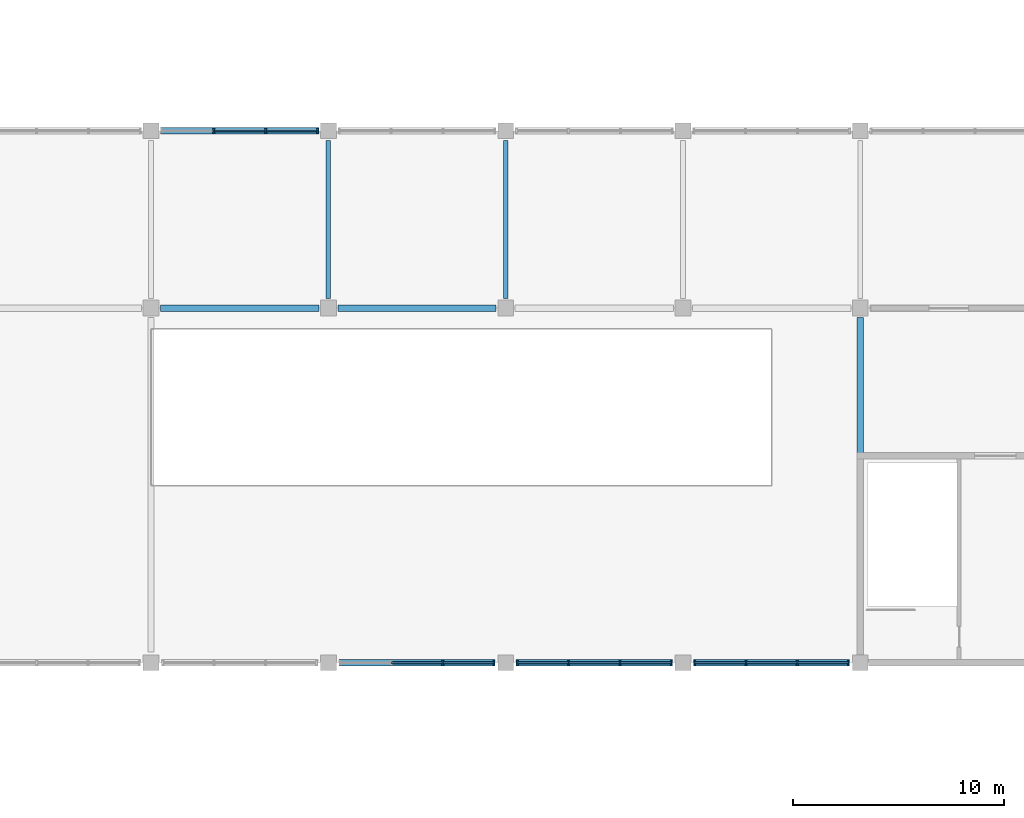
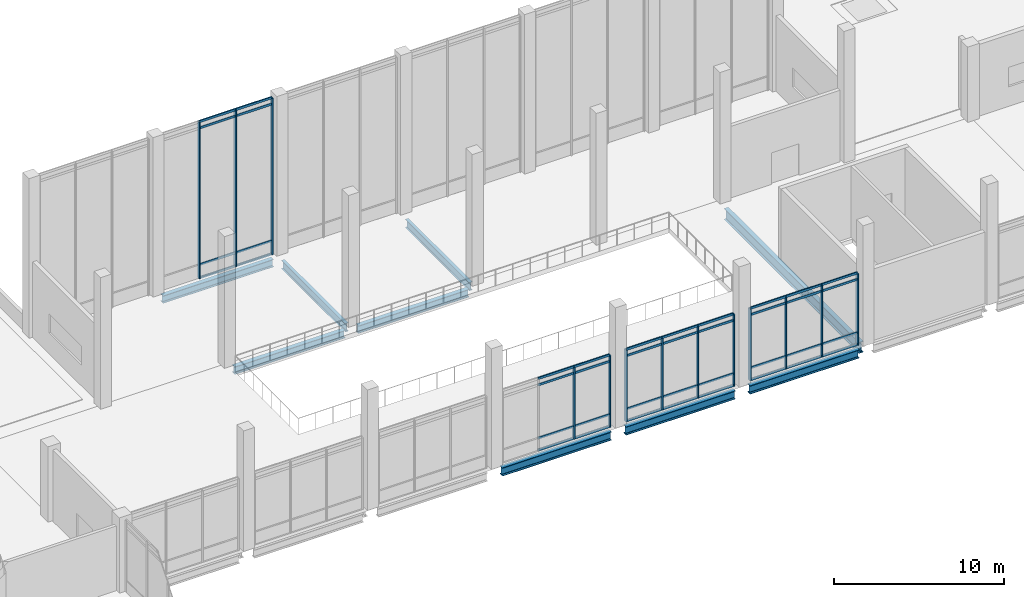
# One storey, part 17 of 72: 53 members, 9 beams, 4 elements without a shape of their own.
"""IFC4 building model written with IfcOpenShell, lengths in metres."""

import ifcopenshell
import ifcopenshell.guid

model = None  # the IFC model being written
_history = None  # IfcOwnerHistory: only IFC2X3 demands one
_inside = {}  # id of a spatial element -> (the spatial element, [elements in it])
_under = {}  # id of a project, library or spatial element -> (it, [spatial elements below it])
_declared = {}  # id of a project -> (the project, [libraries it declares])
_typed = {}  # id of a type object -> (the type object, [elements of that type])
_made_of = {}  # id of a material, layer set ... -> (it, [elements and type objects made of it])


def new_model(schema):
    """Start an empty IFC model of exactly this schema.

    Asked for "IFC4X3", IfcOpenShell would pick the latest addendum, in which some entities
    have other attributes; the version numbers below select the first issue.
    IFC2X3 requires an IfcOwnerHistory on every rooted entity: one is made here for all.
    """
    global model, _history
    if schema == "IFC4X3":
        model = ifcopenshell.file(schema_version=(4, 3, 0, 0))
    else:
        model = ifcopenshell.file(schema=schema)
    _inside.clear()
    _under.clear()
    _declared.clear()
    _typed.clear()
    _made_of.clear()
    _history = None
    if model.schema == "IFC2X3":
        org = make("IfcOrganization", Name="unknown")
        user = make(
            "IfcPersonAndOrganization",
            ThePerson=make("IfcPerson", FamilyName="unknown"),
            TheOrganization=org,
        )
        app = make(
            "IfcApplication",
            ApplicationDeveloper=org,
            Version="unknown",
            ApplicationFullName="unknown",
            ApplicationIdentifier="unknown",
        )
        _history = make(
            "IfcOwnerHistory",
            OwningUser=user,
            OwningApplication=app,
            ChangeAction="ADDED",
            CreationDate=0,
        )
    return model


def make(cls, **values):
    """One entity of the class cls with the attributes given. An attribute that is None is left unset."""
    return model.create_entity(
        cls, **{name: value for name, value in values.items() if value is not None}
    )


def rooted(cls, **values):
    """An entity with a GlobalId (a new one), such as an element, a storey or a relation."""
    return make(cls, GlobalId=ifcopenshell.guid.new(), OwnerHistory=_history, **values)


def si_unit(unit_type, name, prefix=None):
    """IfcSIUnit, for example si_unit("LENGTHUNIT", "METRE", prefix="MILLI")."""
    return make("IfcSIUnit", UnitType=unit_type, Prefix=prefix, Name=name)


def assignment(units):
    """IfcUnitAssignment: the units of a project."""
    return None if units is None else make("IfcUnitAssignment", Units=units)


def point(xyz):
    """IfcCartesianPoint."""
    return None if xyz is None else make("IfcCartesianPoint", Coordinates=xyz)


def direction(xyz):
    """IfcDirection."""
    return None if xyz is None else make("IfcDirection", DirectionRatios=xyz)


def frame(location, z_axis=None, x_axis=None):
    """IfcAxis2Placement3D, a coordinate frame: its origin and axes. An axis left out is left unset."""
    return make(
        "IfcAxis2Placement3D",
        Location=point(location),
        Axis=direction(z_axis),
        RefDirection=direction(x_axis),
    )


def frame_2d(location, x_axis=None):
    """IfcAxis2Placement2D, a coordinate frame in the plane: its origin and x axis."""
    return make(
        "IfcAxis2Placement2D", Location=point(location), RefDirection=direction(x_axis)
    )


def origin():
    """The frame at (0, 0, 0) with its axes left unset."""
    return frame((0.0, 0.0, 0.0))


def origin_2d():
    """The frame at (0, 0) in the plane with its x axis left unset."""
    return frame_2d((0.0, 0.0))


def place(relative_to, where):
    """IfcLocalPlacement: puts the frame where relative to a parent placement (None: the world)."""
    return make(
        "IfcLocalPlacement", PlacementRelTo=relative_to, RelativePlacement=where
    )


def context(
    kind, dimensions, precision=None, world=None, true_north=None, identifier=None
):
    """IfcGeometricRepresentationContext, for example the 3D "Model" context."""
    return make(
        "IfcGeometricRepresentationContext",
        ContextIdentifier=identifier,
        ContextType=kind,
        CoordinateSpaceDimension=dimensions,
        Precision=precision,
        WorldCoordinateSystem=world,
        TrueNorth=true_north,
    )


def subcontext(parent, identifier, kind, view, scale=None):
    """IfcGeometricRepresentationSubContext, for example "Body" below "Model"."""
    return make(
        "IfcGeometricRepresentationSubContext",
        ContextIdentifier=identifier,
        ContextType=kind,
        ParentContext=parent,
        TargetScale=scale,
        TargetView=view,
    )


def project(units=None, contexts=None):
    """IfcProject with its units and contexts."""
    return rooted(
        "IfcProject",
        Name="project",
        RepresentationContexts=contexts,
        UnitsInContext=assignment(units),
    )


def spatial(cls, under=None, at=None, **own):
    """A site, building, storey or space (cls), placed at a placement, below another one or the project."""
    s = rooted(cls, ObjectPlacement=at, **own)
    if under is not None:
        _under.setdefault(under.id(), (under, []))[1].append(s)
    return s


def profile(cls, at=None, kind="AREA", **sizes):
    """A parametric profile (cls). Its sizes go by their IFC names, for example OverallWidth=200.0."""
    return make(cls, ProfileType=kind, Position=at, **sizes)


def rectangle(**sizes):
    """IfcRectangleProfileDef."""
    return profile("IfcRectangleProfileDef", **sizes)


def i_section(**sizes):
    """IfcIShapeProfileDef."""
    return profile("IfcIShapeProfileDef", **sizes)


def extrude(swept, where, along, depth):
    """IfcExtrudedAreaSolid: the profile swept, set in the frame where, extruded along a direction by depth."""
    return make(
        "IfcExtrudedAreaSolid",
        SweptArea=swept,
        Position=where,
        ExtrudedDirection=direction(along),
        Depth=depth,
    )


def shape(context_of_items, identifier, shape_type, items):
    """IfcShapeRepresentation: the items that make up one representation, for example the "Body"."""
    return make(
        "IfcShapeRepresentation",
        ContextOfItems=context_of_items,
        RepresentationIdentifier=identifier,
        RepresentationType=shape_type,
        Items=items,
    )


def material(Name=None, Category=None):
    """IfcMaterial."""
    return make("IfcMaterial", Name=Name, Category=Category)


def layer(
    of_material, thickness, ventilated=None, Name=None, Category=None, Priority=None
):
    """IfcMaterialLayer: one layer of a wall or slab, of a material (None: an air gap)."""
    return make(
        "IfcMaterialLayer",
        Material=of_material,
        LayerThickness=thickness,
        IsVentilated=ventilated,
        Name=Name,
        Category=Category,
        Priority=Priority,
    )


def layer_set(layers, Name=None):
    """IfcMaterialLayerSet."""
    return make("IfcMaterialLayerSet", MaterialLayers=layers, LayerSetName=Name)


def material_profile(
    of_material, cross_section, Name=None, Category=None, Priority=None
):
    """IfcMaterialProfile: a cross section and its material."""
    return make(
        "IfcMaterialProfile",
        Name=Name,
        Material=of_material,
        Profile=cross_section,
        Priority=Priority,
        Category=Category,
    )


def profile_set(profiles, Name=None, composite=None):
    """IfcMaterialProfileSet."""
    return make(
        "IfcMaterialProfileSet",
        Name=Name,
        MaterialProfiles=profiles,
        CompositeProfile=composite,
    )


def made_of(thing, what):
    """Note that an element or type object is made of a material, layer set ...; save() writes the relation."""
    if what is not None:
        _made_of.setdefault(what.id(), (what, []))[1].append(thing)
    return thing


def type_object(cls, material=None, **own):
    """A type object (cls), such as IfcWallType, which elements share."""
    return made_of(rooted(cls, **own), material)


def element(
    cls,
    number,
    at=None,
    inside=None,
    cuts=None,
    type_object=None,
    material=None,
    context=None,
    identifier="Body",
    shape_type=None,
    held_by="IfcProductDefinitionShape",
    body=None,
    shapes=None,
    **own,
):
    """One element of the class cls, such as IfcWall. Its Tag is "e" and its number.

    at: its placement. inside: the storey or other place that contains it. cuts: it is an
    opening in that element (IfcRelVoidsElement). A single representation is given by context,
    identifier, shape_type and body (its items); several are given by shapes. held_by: the class
    of the entity that holds the representations. save() writes the other relations.
    """
    e = rooted(cls, Tag="e%d" % number, ObjectPlacement=at, **own)
    if body is not None:
        shapes = [shape(context, identifier, shape_type, body)]
    if shapes is not None:
        e.Representation = make(held_by, Representations=shapes)
    if inside is not None:
        _inside.setdefault(inside.id(), (inside, []))[1].append(e)
    if cuts is not None:
        rooted(
            "IfcRelVoidsElement", RelatingBuildingElement=cuts, RelatedOpeningElement=e
        )
    if type_object is not None:
        _typed.setdefault(type_object.id(), (type_object, []))[1].append(e)
    return made_of(e, material)


def aggregate(whole, parts):
    """IfcRelAggregates: a whole, such as a stair, and the parts it consists of."""
    return rooted("IfcRelAggregates", RelatingObject=whole, RelatedObjects=parts)


def save(model, path):
    """Write the relations noted so far, then the file.

    IfcRelAggregates (storeys below a building ...), IfcRelContainedInSpatialStructure (elements
    in a storey), IfcRelDefinesByType, IfcRelAssociatesMaterial and IfcRelDeclares: one each for
    every whole, place, type object, material and project.
    """
    for whole, parts in _under.values():
        aggregate(whole, parts)
    for where, things in _inside.values():
        rooted(
            "IfcRelContainedInSpatialStructure",
            RelatedElements=things,
            RelatingStructure=where,
        )
    for kind, things in _typed.values():
        rooted("IfcRelDefinesByType", RelatedObjects=things, RelatingType=kind)
    for what, things in _made_of.values():
        rooted("IfcRelAssociatesMaterial", RelatedObjects=things, RelatingMaterial=what)
    for by, libraries in _declared.values():
        rooted("IfcRelDeclares", RelatingContext=by, RelatedDefinitions=libraries)
    model.write(path)


model = new_model("IFC4")

# Units and contexts
model_context = context("Model", 3, precision=1e-05, world=origin(), true_north=direction((0.0, 1.0)))
body_context = subcontext(model_context, "Body", "Model", "MODEL_VIEW")
ifc_project = project(units=[si_unit("LENGTHUNIT", "METRE"), si_unit("AREAUNIT", "SQUARE_METRE"), si_unit("VOLUMEUNIT", "CUBIC_METRE"), si_unit("PLANEANGLEUNIT", "RADIAN"), si_unit("MASSUNIT", "GRAM", prefix="KILO")], contexts=[model_context])

# Site, building, storey
site_placement = place(None, origin())
site = spatial("IfcSite", under=ifc_project, at=site_placement, CompositionType="ELEMENT")
building_placement = place(site_placement, origin())
building = spatial("IfcBuilding", under=site, at=building_placement, Name="Qawsi Khor Wholesale Market", CompositionType="ELEMENT")
storey_placement = place(building_placement, frame((0.0, 0.0, 6.0)))
storey = spatial("IfcBuildingStorey", under=building, at=storey_placement, Name="L01", CompositionType="ELEMENT", Elevation=6.0)

# Curtain wall, members
ifc_material_1 = material(Name="Aluminium Anodised Bronze", Category="aluminium")
ifc_layer = layer(ifc_material_1, 0.219970703125, Name="Aluminium Anodised Bronze")
ifc_layer_set = layer_set([ifc_layer], Name="Aluminium Anodised Bronze")
curtain_wall_type = type_object("IfcCurtainWallType", Name="Auction Clerestory Curtain Wall CW-04", PredefinedType="NOTDEFINED", material=ifc_layer_set)
curtain_wall_1_placement = place(storey_placement, origin())
curtain_wall_1 = element("IfcCurtainWall", 1, at=curtain_wall_1_placement, inside=storey, type_object=curtain_wall_type, Name="Curtain wall CW-CW-04-L01-104", PredefinedType="NOTDEFINED")
ifc_material_profile_1 = material_profile(ifc_material_1, rectangle(XDim=0.080078125, YDim=0.239990234375, at=origin_2d()), Name="ALU MULLION 80x240")
ifc_profile_set_1 = profile_set([ifc_material_profile_1], Name="Aluminium Anodised Bronze")
member_type_1 = type_object("IfcMemberType", Name="Curtain Wall Mullion CW-04 ALU MULLION 80x240", PredefinedType="MULLION", material=ifc_profile_set_1)
member_1_placement = place(storey_placement, frame((95.36669921875, 117.60009765625, -0.02001953125), z_axis=(0.0, 0.0, 1.0), x_axis=(1.0, 0.0, 0.0)))
member_1 = element("IfcMember", 2, at=member_1_placement, type_object=member_type_1, Name="Mullion CW-CW-04-L01-104-M01", PredefinedType="MULLION", context=body_context, shape_type="SweptSolid", body=[
    extrude(rectangle(XDim=0.080078125, YDim=0.239990234375, at=origin_2d()), origin(), (0.0, 0.0, 1.0), 11.219970703125),
])
member_2_placement = place(storey_placement, frame((97.833251953125, 117.60009765625, -0.02001953125), z_axis=(0.0, 0.0, 1.0), x_axis=(1.0, 0.0, 0.0)))
member_2 = element("IfcMember", 3, at=member_2_placement, type_object=member_type_1, Name="Mullion CW-CW-04-L01-104-M02", PredefinedType="MULLION", context=body_context, shape_type="SweptSolid", body=[
    extrude(rectangle(XDim=0.080078125, YDim=0.239990234375, at=origin_2d()), origin(), (0.0, 0.0, 1.0), 11.219970703125),
])
member_3_placement = place(storey_placement, frame((100.300048828125, 117.60009765625, -0.02001953125), z_axis=(0.0, 0.0, 1.0), x_axis=(1.0, 0.0, 0.0)))
member_3 = element("IfcMember", 4, at=member_3_placement, type_object=member_type_1, Name="Mullion CW-CW-04-L01-104-M03", PredefinedType="MULLION", context=body_context, shape_type="SweptSolid", body=[
    extrude(rectangle(XDim=0.080078125, YDim=0.239990234375, at=origin_2d()), origin(), (0.0, 0.0, 1.0), 11.219970703125),
])

curtain_wall_2_placement = place(storey_placement, origin())
curtain_wall_2 = element("IfcCurtainWall", 5, at=curtain_wall_2_placement, inside=storey, type_object=curtain_wall_type, Name="Curtain wall CW-CW-04-L01-106", PredefinedType="NOTDEFINED")
member_4_placement = place(storey_placement, frame((106.216796875, 92.39990234375, -0.02001953125), z_axis=(0.0, 0.0, 1.0), x_axis=(1.0, 0.0, 0.0)))
member_4 = element("IfcMember", 6, at=member_4_placement, type_object=member_type_1, Name="Mullion CW-CW-04-L01-106-M02", PredefinedType="MULLION", context=body_context, shape_type="SweptSolid", body=[
    extrude(rectangle(XDim=0.080078125, YDim=0.239990234375, at=origin_2d()), origin(), (0.0, 0.0, 1.0), 5.14013671875),
])
member_5_placement = place(storey_placement, frame((108.64990234375, 92.39990234375, -0.02001953125), z_axis=(0.0, 0.0, 1.0), x_axis=(1.0, 0.0, 0.0)))
member_5 = element("IfcMember", 7, at=member_5_placement, type_object=member_type_1, Name="Mullion CW-CW-04-L01-106-M03", PredefinedType="MULLION", context=body_context, shape_type="SweptSolid", body=[
    extrude(rectangle(XDim=0.080078125, YDim=0.239990234375, at=origin_2d()), origin(), (0.0, 0.0, 1.0), 5.14013671875),
])

curtain_wall_3_placement = place(storey_placement, origin())
curtain_wall_3 = element("IfcCurtainWall", 8, at=curtain_wall_3_placement, inside=storey, type_object=curtain_wall_type, Name="Curtain wall CW-CW-04-L01-109", PredefinedType="NOTDEFINED")
member_6_placement = place(storey_placement, frame((109.75, 92.39990234375, -0.02001953125), z_axis=(0.0, 0.0, 1.0), x_axis=(1.0, 0.0, 0.0)))
member_6 = element("IfcMember", 9, at=member_6_placement, type_object=member_type_1, Name="Mullion CW-CW-04-L01-109-M00", PredefinedType="MULLION", context=body_context, shape_type="SweptSolid", body=[
    extrude(rectangle(XDim=0.080078125, YDim=0.239990234375, at=origin_2d()), origin(), (0.0, 0.0, 1.0), 5.14013671875),
])
member_7_placement = place(storey_placement, frame((112.183349609375, 92.39990234375, -0.02001953125), z_axis=(0.0, 0.0, 1.0), x_axis=(1.0, 0.0, 0.0)))
member_7 = element("IfcMember", 10, at=member_7_placement, type_object=member_type_1, Name="Mullion CW-CW-04-L01-109-M01", PredefinedType="MULLION", context=body_context, shape_type="SweptSolid", body=[
    extrude(rectangle(XDim=0.080078125, YDim=0.239990234375, at=origin_2d()), origin(), (0.0, 0.0, 1.0), 5.14013671875),
])
member_8_placement = place(storey_placement, frame((114.61669921875, 92.39990234375, -0.02001953125), z_axis=(0.0, 0.0, 1.0), x_axis=(1.0, 0.0, 0.0)))
member_8 = element("IfcMember", 11, at=member_8_placement, type_object=member_type_1, Name="Mullion CW-CW-04-L01-109-M02", PredefinedType="MULLION", context=body_context, shape_type="SweptSolid", body=[
    extrude(rectangle(XDim=0.080078125, YDim=0.239990234375, at=origin_2d()), origin(), (0.0, 0.0, 1.0), 5.14013671875),
])
member_9_placement = place(storey_placement, frame((117.050048828125, 92.39990234375, -0.02001953125), z_axis=(0.0, 0.0, 1.0), x_axis=(1.0, 0.0, 0.0)))
member_9 = element("IfcMember", 12, at=member_9_placement, type_object=member_type_1, Name="Mullion CW-CW-04-L01-109-M03", PredefinedType="MULLION", context=body_context, shape_type="SweptSolid", body=[
    extrude(rectangle(XDim=0.080078125, YDim=0.239990234375, at=origin_2d()), origin(), (0.0, 0.0, 1.0), 5.14013671875),
])

curtain_wall_4_placement = place(storey_placement, origin())
curtain_wall_4 = element("IfcCurtainWall", 13, at=curtain_wall_4_placement, inside=storey, type_object=curtain_wall_type, Name="Curtain wall CW-CW-04-L01-112", PredefinedType="NOTDEFINED")
member_10_placement = place(storey_placement, frame((118.14990234375, 92.39990234375, -0.02001953125), z_axis=(0.0, 0.0, 1.0), x_axis=(1.0, 0.0, 0.0)))
member_10 = element("IfcMember", 14, at=member_10_placement, type_object=member_type_1, Name="Mullion CW-CW-04-L01-112-M00", PredefinedType="MULLION", context=body_context, shape_type="SweptSolid", body=[
    extrude(rectangle(XDim=0.080078125, YDim=0.239990234375, at=origin_2d()), origin(), (0.0, 0.0, 1.0), 5.14013671875),
])
member_11_placement = place(storey_placement, frame((120.583251953125, 92.39990234375, -0.02001953125), z_axis=(0.0, 0.0, 1.0), x_axis=(1.0, 0.0, 0.0)))
member_11 = element("IfcMember", 15, at=member_11_placement, type_object=member_type_1, Name="Mullion CW-CW-04-L01-112-M01", PredefinedType="MULLION", context=body_context, shape_type="SweptSolid", body=[
    extrude(rectangle(XDim=0.080078125, YDim=0.239990234375, at=origin_2d()), origin(), (0.0, 0.0, 1.0), 5.14013671875),
])
member_12_placement = place(storey_placement, frame((123.0166015625, 92.39990234375, -0.02001953125), z_axis=(0.0, 0.0, 1.0), x_axis=(1.0, 0.0, 0.0)))
member_12 = element("IfcMember", 16, at=member_12_placement, type_object=member_type_1, Name="Mullion CW-CW-04-L01-112-M02", PredefinedType="MULLION", context=body_context, shape_type="SweptSolid", body=[
    extrude(rectangle(XDim=0.080078125, YDim=0.239990234375, at=origin_2d()), origin(), (0.0, 0.0, 1.0), 5.14013671875),
])
member_13_placement = place(storey_placement, frame((125.449951171875, 92.39990234375, -0.02001953125), z_axis=(0.0, 0.0, 1.0), x_axis=(1.0, 0.0, 0.0)))
member_13 = element("IfcMember", 17, at=member_13_placement, type_object=member_type_1, Name="Mullion CW-CW-04-L01-112-M03", PredefinedType="MULLION", context=body_context, shape_type="SweptSolid", body=[
    extrude(rectangle(XDim=0.080078125, YDim=0.239990234375, at=origin_2d()), origin(), (0.0, 0.0, 1.0), 5.14013671875),
])

# Member
ifc_material_profile_2 = material_profile(ifc_material_1, rectangle(XDim=0.074951171875, YDim=0.159912109375, at=origin_2d()), Name="ALU TRANSOM 75x160")
ifc_profile_set_2 = profile_set([ifc_material_profile_2], Name="Aluminium Anodised Bronze")
member_type_2 = type_object("IfcMemberType", Name="Curtain Wall Transom CW-04 ALU TRANSOM 75x160", PredefinedType="USERDEFINED", material=ifc_profile_set_2)
member_14_placement = place(storey_placement, frame((95.36669921875, 117.60009765625, 0.0), z_axis=(1.0, 0.0, 0.0), x_axis=(0.0, 1.0, 0.0)))
member_14 = element("IfcMember", 18, at=member_14_placement, type_object=member_type_2, Name="Transom CW-CW-04-L01-104-T0_01", ObjectType="TRANSOM", PredefinedType="USERDEFINED", context=body_context, shape_type="SweptSolid", body=[
    extrude(rectangle(XDim=0.074951171875, YDim=0.159912109375, at=origin_2d()), origin(), (0.0, 0.0, 1.0), 2.466552734375),
])

member_15_placement = place(storey_placement, frame((97.833251953125, 117.60009765625, 0.0), z_axis=(1.0, 0.0, 0.0), x_axis=(0.0, 1.0, 0.0)))
member_15 = element("IfcMember", 19, at=member_15_placement, type_object=member_type_2, Name="Transom CW-CW-04-L01-104-T0_02", ObjectType="TRANSOM", PredefinedType="USERDEFINED", context=body_context, shape_type="SweptSolid", body=[
    extrude(rectangle(XDim=0.074951171875, YDim=0.159912109375, at=origin_2d()), origin(), (0.0, 0.0, 1.0), 2.466796875),
])

member_16_placement = place(storey_placement, frame((95.36669921875, 117.60009765625, 0.949951171875), z_axis=(1.0, 0.0, 0.0), x_axis=(0.0, 1.0, 0.0)))
member_16 = element("IfcMember", 20, at=member_16_placement, type_object=member_type_2, Name="Transom CW-CW-04-L01-104-T1_01", ObjectType="TRANSOM", PredefinedType="USERDEFINED", context=body_context, shape_type="SweptSolid", body=[
    extrude(rectangle(XDim=0.074951171875, YDim=0.159912109375, at=origin_2d()), origin(), (0.0, 0.0, 1.0), 2.466552734375),
])

member_17_placement = place(storey_placement, frame((97.833251953125, 117.60009765625, 0.949951171875), z_axis=(1.0, 0.0, 0.0), x_axis=(0.0, 1.0, 0.0)))
member_17 = element("IfcMember", 21, at=member_17_placement, type_object=member_type_2, Name="Transom CW-CW-04-L01-104-T1_02", ObjectType="TRANSOM", PredefinedType="USERDEFINED", context=body_context, shape_type="SweptSolid", body=[
    extrude(rectangle(XDim=0.074951171875, YDim=0.159912109375, at=origin_2d()), origin(), (0.0, 0.0, 1.0), 2.466796875),
])

member_18_placement = place(storey_placement, frame((95.36669921875, 117.60009765625, 10.75), z_axis=(1.0, 0.0, 0.0), x_axis=(0.0, 1.0, 0.0)))
member_18 = element("IfcMember", 22, at=member_18_placement, type_object=member_type_2, Name="Transom CW-CW-04-L01-104-T2_01", ObjectType="TRANSOM", PredefinedType="USERDEFINED", context=body_context, shape_type="SweptSolid", body=[
    extrude(rectangle(XDim=0.074951171875, YDim=0.159912109375, at=origin_2d()), origin(), (0.0, 0.0, 1.0), 2.466552734375),
])

member_19_placement = place(storey_placement, frame((97.833251953125, 117.60009765625, 10.75), z_axis=(1.0, 0.0, 0.0), x_axis=(0.0, 1.0, 0.0)))
member_19 = element("IfcMember", 23, at=member_19_placement, type_object=member_type_2, Name="Transom CW-CW-04-L01-104-T2_02", ObjectType="TRANSOM", PredefinedType="USERDEFINED", context=body_context, shape_type="SweptSolid", body=[
    extrude(rectangle(XDim=0.074951171875, YDim=0.159912109375, at=origin_2d()), origin(), (0.0, 0.0, 1.0), 2.466796875),
])

member_20_placement = place(storey_placement, frame((95.36669921875, 117.60009765625, 11.199951171875), z_axis=(1.0, 0.0, 0.0), x_axis=(0.0, 1.0, 0.0)))
member_20 = element("IfcMember", 24, at=member_20_placement, type_object=member_type_2, Name="Transom CW-CW-04-L01-104-T3_01", ObjectType="TRANSOM", PredefinedType="USERDEFINED", context=body_context, shape_type="SweptSolid", body=[
    extrude(rectangle(XDim=0.074951171875, YDim=0.159912109375, at=origin_2d()), origin(), (0.0, 0.0, 1.0), 2.466552734375),
])

member_21_placement = place(storey_placement, frame((97.833251953125, 117.60009765625, 11.199951171875), z_axis=(1.0, 0.0, 0.0), x_axis=(0.0, 1.0, 0.0)))
member_21 = element("IfcMember", 25, at=member_21_placement, type_object=member_type_2, Name="Transom CW-CW-04-L01-104-T3_02", ObjectType="TRANSOM", PredefinedType="USERDEFINED", context=body_context, shape_type="SweptSolid", body=[
    extrude(rectangle(XDim=0.074951171875, YDim=0.159912109375, at=origin_2d()), origin(), (0.0, 0.0, 1.0), 2.466796875),
])

aggregate(curtain_wall_1, [member_1, member_2, member_3, member_14, member_15, member_16, member_17, member_18, member_19, member_20, member_21])

member_22_placement = place(storey_placement, frame((103.783203125, 92.39990234375, 0.0), z_axis=(1.0, 0.0, 0.0), x_axis=(0.0, 1.0, 0.0)))
member_22 = element("IfcMember", 26, at=member_22_placement, type_object=member_type_2, Name="Transom CW-CW-04-L01-106-T0_01", ObjectType="TRANSOM", PredefinedType="USERDEFINED", context=body_context, shape_type="SweptSolid", body=[
    extrude(rectangle(XDim=0.074951171875, YDim=0.159912109375, at=origin_2d()), origin(), (0.0, 0.0, 1.0), 2.43359375),
])

member_23_placement = place(storey_placement, frame((106.216796875, 92.39990234375, 0.0), z_axis=(1.0, 0.0, 0.0), x_axis=(0.0, 1.0, 0.0)))
member_23 = element("IfcMember", 27, at=member_23_placement, type_object=member_type_2, Name="Transom CW-CW-04-L01-106-T0_02", ObjectType="TRANSOM", PredefinedType="USERDEFINED", context=body_context, shape_type="SweptSolid", body=[
    extrude(rectangle(XDim=0.074951171875, YDim=0.159912109375, at=origin_2d()), origin(), (0.0, 0.0, 1.0), 2.43310546875),
])

member_24_placement = place(storey_placement, frame((103.783203125, 92.39990234375, 0.85009765625), z_axis=(1.0, 0.0, 0.0), x_axis=(0.0, 1.0, 0.0)))
member_24 = element("IfcMember", 28, at=member_24_placement, type_object=member_type_2, Name="Transom CW-CW-04-L01-106-T1_01", ObjectType="TRANSOM", PredefinedType="USERDEFINED", context=body_context, shape_type="SweptSolid", body=[
    extrude(rectangle(XDim=0.074951171875, YDim=0.159912109375, at=origin_2d()), origin(), (0.0, 0.0, 1.0), 2.43359375),
])

member_25_placement = place(storey_placement, frame((106.216796875, 92.39990234375, 0.85009765625), z_axis=(1.0, 0.0, 0.0), x_axis=(0.0, 1.0, 0.0)))
member_25 = element("IfcMember", 29, at=member_25_placement, type_object=member_type_2, Name="Transom CW-CW-04-L01-106-T1_02", ObjectType="TRANSOM", PredefinedType="USERDEFINED", context=body_context, shape_type="SweptSolid", body=[
    extrude(rectangle(XDim=0.074951171875, YDim=0.159912109375, at=origin_2d()), origin(), (0.0, 0.0, 1.0), 2.43310546875),
])

member_26_placement = place(storey_placement, frame((103.783203125, 92.39990234375, 4.669921875), z_axis=(1.0, 0.0, 0.0), x_axis=(0.0, 1.0, 0.0)))
member_26 = element("IfcMember", 30, at=member_26_placement, type_object=member_type_2, Name="Transom CW-CW-04-L01-106-T2_01", ObjectType="TRANSOM", PredefinedType="USERDEFINED", context=body_context, shape_type="SweptSolid", body=[
    extrude(rectangle(XDim=0.074951171875, YDim=0.159912109375, at=origin_2d()), origin(), (0.0, 0.0, 1.0), 2.43359375),
])

member_27_placement = place(storey_placement, frame((106.216796875, 92.39990234375, 4.669921875), z_axis=(1.0, 0.0, 0.0), x_axis=(0.0, 1.0, 0.0)))
member_27 = element("IfcMember", 31, at=member_27_placement, type_object=member_type_2, Name="Transom CW-CW-04-L01-106-T2_02", ObjectType="TRANSOM", PredefinedType="USERDEFINED", context=body_context, shape_type="SweptSolid", body=[
    extrude(rectangle(XDim=0.074951171875, YDim=0.159912109375, at=origin_2d()), origin(), (0.0, 0.0, 1.0), 2.43310546875),
])

member_28_placement = place(storey_placement, frame((103.783203125, 92.39990234375, 5.1201171875), z_axis=(1.0, 0.0, 0.0), x_axis=(0.0, 1.0, 0.0)))
member_28 = element("IfcMember", 32, at=member_28_placement, type_object=member_type_2, Name="Transom CW-CW-04-L01-106-T3_01", ObjectType="TRANSOM", PredefinedType="USERDEFINED", context=body_context, shape_type="SweptSolid", body=[
    extrude(rectangle(XDim=0.074951171875, YDim=0.159912109375, at=origin_2d()), origin(), (0.0, 0.0, 1.0), 2.43359375),
])

member_29_placement = place(storey_placement, frame((106.216796875, 92.39990234375, 5.1201171875), z_axis=(1.0, 0.0, 0.0), x_axis=(0.0, 1.0, 0.0)))
member_29 = element("IfcMember", 33, at=member_29_placement, type_object=member_type_2, Name="Transom CW-CW-04-L01-106-T3_02", ObjectType="TRANSOM", PredefinedType="USERDEFINED", context=body_context, shape_type="SweptSolid", body=[
    extrude(rectangle(XDim=0.074951171875, YDim=0.159912109375, at=origin_2d()), origin(), (0.0, 0.0, 1.0), 2.43310546875),
])

aggregate(curtain_wall_2, [member_4, member_5, member_22, member_23, member_24, member_25, member_26, member_27, member_28, member_29])

member_30_placement = place(storey_placement, frame((109.75, 92.39990234375, 0.0), z_axis=(1.0, 0.0, 0.0), x_axis=(0.0, 1.0, 0.0)))
member_30 = element("IfcMember", 34, at=member_30_placement, type_object=member_type_2, Name="Transom CW-CW-04-L01-109-T0_00", ObjectType="TRANSOM", PredefinedType="USERDEFINED", context=body_context, shape_type="SweptSolid", body=[
    extrude(rectangle(XDim=0.074951171875, YDim=0.159912109375, at=origin_2d()), origin(), (0.0, 0.0, 1.0), 2.433349609375),
])

member_31_placement = place(storey_placement, frame((112.183349609375, 92.39990234375, 0.0), z_axis=(1.0, 0.0, 0.0), x_axis=(0.0, 1.0, 0.0)))
member_31 = element("IfcMember", 35, at=member_31_placement, type_object=member_type_2, Name="Transom CW-CW-04-L01-109-T0_01", ObjectType="TRANSOM", PredefinedType="USERDEFINED", context=body_context, shape_type="SweptSolid", body=[
    extrude(rectangle(XDim=0.074951171875, YDim=0.159912109375, at=origin_2d()), origin(), (0.0, 0.0, 1.0), 2.433349609375),
])

member_32_placement = place(storey_placement, frame((114.61669921875, 92.39990234375, 0.0), z_axis=(1.0, 0.0, 0.0), x_axis=(0.0, 1.0, 0.0)))
member_32 = element("IfcMember", 36, at=member_32_placement, type_object=member_type_2, Name="Transom CW-CW-04-L01-109-T0_02", ObjectType="TRANSOM", PredefinedType="USERDEFINED", context=body_context, shape_type="SweptSolid", body=[
    extrude(rectangle(XDim=0.074951171875, YDim=0.159912109375, at=origin_2d()), origin(), (0.0, 0.0, 1.0), 2.433349609375),
])

member_33_placement = place(storey_placement, frame((109.75, 92.39990234375, 0.85009765625), z_axis=(1.0, 0.0, 0.0), x_axis=(0.0, 1.0, 0.0)))
member_33 = element("IfcMember", 37, at=member_33_placement, type_object=member_type_2, Name="Transom CW-CW-04-L01-109-T1_00", ObjectType="TRANSOM", PredefinedType="USERDEFINED", context=body_context, shape_type="SweptSolid", body=[
    extrude(rectangle(XDim=0.074951171875, YDim=0.159912109375, at=origin_2d()), origin(), (0.0, 0.0, 1.0), 2.433349609375),
])

member_34_placement = place(storey_placement, frame((112.183349609375, 92.39990234375, 0.85009765625), z_axis=(1.0, 0.0, 0.0), x_axis=(0.0, 1.0, 0.0)))
member_34 = element("IfcMember", 38, at=member_34_placement, type_object=member_type_2, Name="Transom CW-CW-04-L01-109-T1_01", ObjectType="TRANSOM", PredefinedType="USERDEFINED", context=body_context, shape_type="SweptSolid", body=[
    extrude(rectangle(XDim=0.074951171875, YDim=0.159912109375, at=origin_2d()), origin(), (0.0, 0.0, 1.0), 2.433349609375),
])

member_35_placement = place(storey_placement, frame((114.61669921875, 92.39990234375, 0.85009765625), z_axis=(1.0, 0.0, 0.0), x_axis=(0.0, 1.0, 0.0)))
member_35 = element("IfcMember", 39, at=member_35_placement, type_object=member_type_2, Name="Transom CW-CW-04-L01-109-T1_02", ObjectType="TRANSOM", PredefinedType="USERDEFINED", context=body_context, shape_type="SweptSolid", body=[
    extrude(rectangle(XDim=0.074951171875, YDim=0.159912109375, at=origin_2d()), origin(), (0.0, 0.0, 1.0), 2.433349609375),
])

member_36_placement = place(storey_placement, frame((109.75, 92.39990234375, 4.669921875), z_axis=(1.0, 0.0, 0.0), x_axis=(0.0, 1.0, 0.0)))
member_36 = element("IfcMember", 40, at=member_36_placement, type_object=member_type_2, Name="Transom CW-CW-04-L01-109-T2_00", ObjectType="TRANSOM", PredefinedType="USERDEFINED", context=body_context, shape_type="SweptSolid", body=[
    extrude(rectangle(XDim=0.074951171875, YDim=0.159912109375, at=origin_2d()), origin(), (0.0, 0.0, 1.0), 2.433349609375),
])

member_37_placement = place(storey_placement, frame((112.183349609375, 92.39990234375, 4.669921875), z_axis=(1.0, 0.0, 0.0), x_axis=(0.0, 1.0, 0.0)))
member_37 = element("IfcMember", 41, at=member_37_placement, type_object=member_type_2, Name="Transom CW-CW-04-L01-109-T2_01", ObjectType="TRANSOM", PredefinedType="USERDEFINED", context=body_context, shape_type="SweptSolid", body=[
    extrude(rectangle(XDim=0.074951171875, YDim=0.159912109375, at=origin_2d()), origin(), (0.0, 0.0, 1.0), 2.433349609375),
])

member_38_placement = place(storey_placement, frame((114.61669921875, 92.39990234375, 4.669921875), z_axis=(1.0, 0.0, 0.0), x_axis=(0.0, 1.0, 0.0)))
member_38 = element("IfcMember", 42, at=member_38_placement, type_object=member_type_2, Name="Transom CW-CW-04-L01-109-T2_02", ObjectType="TRANSOM", PredefinedType="USERDEFINED", context=body_context, shape_type="SweptSolid", body=[
    extrude(rectangle(XDim=0.074951171875, YDim=0.159912109375, at=origin_2d()), origin(), (0.0, 0.0, 1.0), 2.433349609375),
])

member_39_placement = place(storey_placement, frame((109.75, 92.39990234375, 5.1201171875), z_axis=(1.0, 0.0, 0.0), x_axis=(0.0, 1.0, 0.0)))
member_39 = element("IfcMember", 43, at=member_39_placement, type_object=member_type_2, Name="Transom CW-CW-04-L01-109-T3_00", ObjectType="TRANSOM", PredefinedType="USERDEFINED", context=body_context, shape_type="SweptSolid", body=[
    extrude(rectangle(XDim=0.074951171875, YDim=0.159912109375, at=origin_2d()), origin(), (0.0, 0.0, 1.0), 2.433349609375),
])

member_40_placement = place(storey_placement, frame((112.183349609375, 92.39990234375, 5.1201171875), z_axis=(1.0, 0.0, 0.0), x_axis=(0.0, 1.0, 0.0)))
member_40 = element("IfcMember", 44, at=member_40_placement, type_object=member_type_2, Name="Transom CW-CW-04-L01-109-T3_01", ObjectType="TRANSOM", PredefinedType="USERDEFINED", context=body_context, shape_type="SweptSolid", body=[
    extrude(rectangle(XDim=0.074951171875, YDim=0.159912109375, at=origin_2d()), origin(), (0.0, 0.0, 1.0), 2.433349609375),
])

member_41_placement = place(storey_placement, frame((114.61669921875, 92.39990234375, 5.1201171875), z_axis=(1.0, 0.0, 0.0), x_axis=(0.0, 1.0, 0.0)))
member_41 = element("IfcMember", 45, at=member_41_placement, type_object=member_type_2, Name="Transom CW-CW-04-L01-109-T3_02", ObjectType="TRANSOM", PredefinedType="USERDEFINED", context=body_context, shape_type="SweptSolid", body=[
    extrude(rectangle(XDim=0.074951171875, YDim=0.159912109375, at=origin_2d()), origin(), (0.0, 0.0, 1.0), 2.433349609375),
])

aggregate(curtain_wall_3, [member_6, member_7, member_8, member_9, member_30, member_31, member_32, member_33, member_34, member_35, member_36, member_37, member_38, member_39, member_40, member_41])

member_42_placement = place(storey_placement, frame((118.14990234375, 92.39990234375, 0.0), z_axis=(1.0, 0.0, 0.0), x_axis=(0.0, 1.0, 0.0)))
member_42 = element("IfcMember", 46, at=member_42_placement, type_object=member_type_2, Name="Transom CW-CW-04-L01-112-T0_00", ObjectType="TRANSOM", PredefinedType="USERDEFINED", context=body_context, shape_type="SweptSolid", body=[
    extrude(rectangle(XDim=0.074951171875, YDim=0.159912109375, at=origin_2d()), origin(), (0.0, 0.0, 1.0), 2.433349609375),
])

member_43_placement = place(storey_placement, frame((120.583251953125, 92.39990234375, 0.0), z_axis=(1.0, 0.0, 0.0), x_axis=(0.0, 1.0, 0.0)))
member_43 = element("IfcMember", 47, at=member_43_placement, type_object=member_type_2, Name="Transom CW-CW-04-L01-112-T0_01", ObjectType="TRANSOM", PredefinedType="USERDEFINED", context=body_context, shape_type="SweptSolid", body=[
    extrude(rectangle(XDim=0.074951171875, YDim=0.159912109375, at=origin_2d()), origin(), (0.0, 0.0, 1.0), 2.433349609375),
])

member_44_placement = place(storey_placement, frame((123.0166015625, 92.39990234375, 0.0), z_axis=(1.0, 0.0, 0.0), x_axis=(0.0, 1.0, 0.0)))
member_44 = element("IfcMember", 48, at=member_44_placement, type_object=member_type_2, Name="Transom CW-CW-04-L01-112-T0_02", ObjectType="TRANSOM", PredefinedType="USERDEFINED", context=body_context, shape_type="SweptSolid", body=[
    extrude(rectangle(XDim=0.074951171875, YDim=0.159912109375, at=origin_2d()), origin(), (0.0, 0.0, 1.0), 2.433349609375),
])

member_45_placement = place(storey_placement, frame((118.14990234375, 92.39990234375, 0.85009765625), z_axis=(1.0, 0.0, 0.0), x_axis=(0.0, 1.0, 0.0)))
member_45 = element("IfcMember", 49, at=member_45_placement, type_object=member_type_2, Name="Transom CW-CW-04-L01-112-T1_00", ObjectType="TRANSOM", PredefinedType="USERDEFINED", context=body_context, shape_type="SweptSolid", body=[
    extrude(rectangle(XDim=0.074951171875, YDim=0.159912109375, at=origin_2d()), origin(), (0.0, 0.0, 1.0), 2.433349609375),
])

member_46_placement = place(storey_placement, frame((120.583251953125, 92.39990234375, 0.85009765625), z_axis=(1.0, 0.0, 0.0), x_axis=(0.0, 1.0, 0.0)))
member_46 = element("IfcMember", 50, at=member_46_placement, type_object=member_type_2, Name="Transom CW-CW-04-L01-112-T1_01", ObjectType="TRANSOM", PredefinedType="USERDEFINED", context=body_context, shape_type="SweptSolid", body=[
    extrude(rectangle(XDim=0.074951171875, YDim=0.159912109375, at=origin_2d()), origin(), (0.0, 0.0, 1.0), 2.433349609375),
])

member_47_placement = place(storey_placement, frame((123.0166015625, 92.39990234375, 0.85009765625), z_axis=(1.0, 0.0, 0.0), x_axis=(0.0, 1.0, 0.0)))
member_47 = element("IfcMember", 51, at=member_47_placement, type_object=member_type_2, Name="Transom CW-CW-04-L01-112-T1_02", ObjectType="TRANSOM", PredefinedType="USERDEFINED", context=body_context, shape_type="SweptSolid", body=[
    extrude(rectangle(XDim=0.074951171875, YDim=0.159912109375, at=origin_2d()), origin(), (0.0, 0.0, 1.0), 2.433349609375),
])

member_48_placement = place(storey_placement, frame((118.14990234375, 92.39990234375, 4.669921875), z_axis=(1.0, 0.0, 0.0), x_axis=(0.0, 1.0, 0.0)))
member_48 = element("IfcMember", 52, at=member_48_placement, type_object=member_type_2, Name="Transom CW-CW-04-L01-112-T2_00", ObjectType="TRANSOM", PredefinedType="USERDEFINED", context=body_context, shape_type="SweptSolid", body=[
    extrude(rectangle(XDim=0.074951171875, YDim=0.159912109375, at=origin_2d()), origin(), (0.0, 0.0, 1.0), 2.433349609375),
])

member_49_placement = place(storey_placement, frame((120.583251953125, 92.39990234375, 4.669921875), z_axis=(1.0, 0.0, 0.0), x_axis=(0.0, 1.0, 0.0)))
member_49 = element("IfcMember", 53, at=member_49_placement, type_object=member_type_2, Name="Transom CW-CW-04-L01-112-T2_01", ObjectType="TRANSOM", PredefinedType="USERDEFINED", context=body_context, shape_type="SweptSolid", body=[
    extrude(rectangle(XDim=0.074951171875, YDim=0.159912109375, at=origin_2d()), origin(), (0.0, 0.0, 1.0), 2.433349609375),
])

member_50_placement = place(storey_placement, frame((123.0166015625, 92.39990234375, 4.669921875), z_axis=(1.0, 0.0, 0.0), x_axis=(0.0, 1.0, 0.0)))
member_50 = element("IfcMember", 54, at=member_50_placement, type_object=member_type_2, Name="Transom CW-CW-04-L01-112-T2_02", ObjectType="TRANSOM", PredefinedType="USERDEFINED", context=body_context, shape_type="SweptSolid", body=[
    extrude(rectangle(XDim=0.074951171875, YDim=0.159912109375, at=origin_2d()), origin(), (0.0, 0.0, 1.0), 2.433349609375),
])

member_51_placement = place(storey_placement, frame((118.14990234375, 92.39990234375, 5.1201171875), z_axis=(1.0, 0.0, 0.0), x_axis=(0.0, 1.0, 0.0)))
member_51 = element("IfcMember", 55, at=member_51_placement, type_object=member_type_2, Name="Transom CW-CW-04-L01-112-T3_00", ObjectType="TRANSOM", PredefinedType="USERDEFINED", context=body_context, shape_type="SweptSolid", body=[
    extrude(rectangle(XDim=0.074951171875, YDim=0.159912109375, at=origin_2d()), origin(), (0.0, 0.0, 1.0), 2.433349609375),
])

member_52_placement = place(storey_placement, frame((120.583251953125, 92.39990234375, 5.1201171875), z_axis=(1.0, 0.0, 0.0), x_axis=(0.0, 1.0, 0.0)))
member_52 = element("IfcMember", 56, at=member_52_placement, type_object=member_type_2, Name="Transom CW-CW-04-L01-112-T3_01", ObjectType="TRANSOM", PredefinedType="USERDEFINED", context=body_context, shape_type="SweptSolid", body=[
    extrude(rectangle(XDim=0.074951171875, YDim=0.159912109375, at=origin_2d()), origin(), (0.0, 0.0, 1.0), 2.433349609375),
])

member_53_placement = place(storey_placement, frame((123.0166015625, 92.39990234375, 5.1201171875), z_axis=(1.0, 0.0, 0.0), x_axis=(0.0, 1.0, 0.0)))
member_53 = element("IfcMember", 57, at=member_53_placement, type_object=member_type_2, Name="Transom CW-CW-04-L01-112-T3_02", ObjectType="TRANSOM", PredefinedType="USERDEFINED", context=body_context, shape_type="SweptSolid", body=[
    extrude(rectangle(XDim=0.074951171875, YDim=0.159912109375, at=origin_2d()), origin(), (0.0, 0.0, 1.0), 2.433349609375),
])

aggregate(curtain_wall_4, [member_10, member_11, member_12, member_13, member_42, member_43, member_44, member_45, member_46, member_47, member_48, member_49, member_50, member_51, member_52, member_53])

# Beams
ifc_material_2 = material(Name="Steel S355", Category="steel")
ifc_material_profile_3 = material_profile(ifc_material_2, i_section(OverallWidth=0.300048828125, OverallDepth=0.60009765625, WebThickness=0.015380859375, FlangeThickness=0.030029296875, FilletRadius=0.027099609375, at=origin_2d()), Name="HEB 600")
ifc_profile_set_3 = profile_set([ifc_material_profile_3], Name="Steel S355")
beam_type_1 = type_object("IfcBeamType", Name="Heavy Edge Girder HEB 600", PredefinedType="BEAM", material=ifc_profile_set_3)
beam_1_placement = place(storey_placement, frame((101.300048828125, 92.39990234375, -0.6298828125), z_axis=(1.0, 0.0, 0.0), x_axis=(0.0, 1.0, 0.0)))
element("IfcBeam", 58, at=beam_1_placement, inside=storey, type_object=beam_type_1, Name="BM-X-L01-12_+11", PredefinedType="BEAM", context=body_context, shape_type="SweptSolid", body=[
    extrude(i_section(OverallWidth=0.300048828125, OverallDepth=0.60009765625, WebThickness=0.015380859375, FlangeThickness=0.030029296875, FilletRadius=0.027099609375, at=origin_2d()), origin(), (0.0, 0.0, 1.0), 7.39990234375),
])
beam_2_placement = place(storey_placement, frame((109.699951171875, 92.39990234375, -0.6298828125), z_axis=(1.0, 0.0, 0.0), x_axis=(0.0, 1.0, 0.0)))
element("IfcBeam", 59, at=beam_2_placement, inside=storey, type_object=beam_type_1, Name="BM-X-L01-13_+11", PredefinedType="BEAM", context=body_context, shape_type="SweptSolid", body=[
    extrude(i_section(OverallWidth=0.300048828125, OverallDepth=0.60009765625, WebThickness=0.015380859375, FlangeThickness=0.030029296875, FilletRadius=0.027099609375, at=origin_2d()), origin(), (0.0, 0.0, 1.0), 7.400146484375),
])
beam_3_placement = place(storey_placement, frame((118.10009765625, 92.39990234375, -0.6298828125), z_axis=(1.0, 0.0, 0.0), x_axis=(0.0, 1.0, 0.0)))
element("IfcBeam", 60, at=beam_3_placement, inside=storey, type_object=beam_type_1, Name="BM-X-L01-14_+11", PredefinedType="BEAM", context=body_context, shape_type="SweptSolid", body=[
    extrude(i_section(OverallWidth=0.300048828125, OverallDepth=0.60009765625, WebThickness=0.015380859375, FlangeThickness=0.030029296875, FilletRadius=0.027099609375, at=origin_2d()), origin(), (0.0, 0.0, 1.0), 7.39990234375),
])
ifc_material_profile_4 = material_profile(ifc_material_2, i_section(OverallWidth=0.300048828125, OverallDepth=0.5400390625, WebThickness=0.012451171875, FlangeThickness=0.02392578125, FilletRadius=0.027099609375, at=origin_2d()), Name="HEA 550")
ifc_profile_set_4 = profile_set([ifc_material_profile_4], Name="Steel S355")
beam_type_2 = type_object("IfcBeamType", Name="Primary Girder HEA 550", PredefinedType="BEAM", material=ifc_profile_set_4)
for number, where, z_axis, x_axis, name in (
    (61, (92.85009765625, 109.199951171875, -0.60009765625), (1.0, 0.0, 0.0), (0.0, 1.0, 0.0), "BM-X-L01-11_+13"),
    (62, (92.85009765625, 117.60009765625, -0.60009765625), (1.0, 0.0, 0.0), (0.0, 1.0, 0.0), "BM-X-L01-11_+14"),
    (63, (101.25, 109.199951171875, -0.60009765625), (1.0, 0.0, 0.0), (0.0, 1.0, 0.0), "BM-X-L01-12_+13"),
):
    element("IfcBeam", number, at=place(storey_placement, frame(where, z_axis=z_axis, x_axis=x_axis)), inside=storey, type_object=beam_type_2, Name=name, PredefinedType="BEAM", context=body_context, shape_type="SweptSolid", body=[
        extrude(i_section(OverallWidth=0.300048828125, OverallDepth=0.5400390625, WebThickness=0.012451171875, FlangeThickness=0.02392578125, FilletRadius=0.027099609375, at=origin_2d()), origin(), (0.0, 0.0, 1.0), 7.5),
    ])
ifc_material_profile_5 = material_profile(ifc_material_2, i_section(OverallWidth=0.300048828125, OverallDepth=0.7900390625, WebThickness=0.014892578125, FlangeThickness=0.028076171875, FilletRadius=0.030029296875, at=origin_2d()), Name="HEA 800")
ifc_profile_set_5 = profile_set([ifc_material_profile_5], Name="Steel S355")
beam_type_3 = type_object("IfcBeamType", Name="Primary Girder HEA 800", PredefinedType="BEAM", material=ifc_profile_set_5)
beam_4_placement = place(storey_placement, frame((126.0, 92.89990234375, -0.72509765625), z_axis=(0.0, 1.0, 0.0), x_axis=(-1.0, 0.0, 0.0)))
element("IfcBeam", 64, at=beam_4_placement, inside=storey, type_object=beam_type_3, Name="BM-YL-L01-15_+11", PredefinedType="BEAM", context=body_context, shape_type="SweptSolid", body=[
    extrude(i_section(OverallWidth=0.300048828125, OverallDepth=0.7900390625, WebThickness=0.014892578125, FlangeThickness=0.028076171875, FilletRadius=0.030029296875, at=origin_2d()), origin(), (0.0, 0.0, 1.0), 15.85009765625),
])
ifc_material_profile_6 = material_profile(ifc_material_2, i_section(OverallWidth=0.219970703125, OverallDepth=0.60009765625, WebThickness=0.011962890625, FlangeThickness=0.01904296875, FilletRadius=0.02392578125, at=origin_2d()), Name="IPE 600")
ifc_profile_set_6 = profile_set([ifc_material_profile_6], Name="Steel S355")
beam_type_4 = type_object("IfcBeamType", Name="Secondary Beam IPE 600", PredefinedType="BEAM", material=ifc_profile_set_6)
for number, where, z_axis, x_axis, name in (
    (65, (100.800048828125, 109.64990234375, -0.6298828125), (0.0, 1.0, 0.0), (-1.0, 0.0, 0.0), "BM-Y-L01-12_+13"),
    (66, (109.199951171875, 109.64990234375, -0.6298828125), (0.0, 1.0, 0.0), (-1.0, 0.0, 0.0), "BM-Y-L01-13_+13"),
):
    element("IfcBeam", number, at=place(storey_placement, frame(where, z_axis=z_axis, x_axis=x_axis)), inside=storey, type_object=beam_type_4, Name=name, PredefinedType="BEAM", context=body_context, shape_type="SweptSolid", body=[
        extrude(i_section(OverallWidth=0.219970703125, OverallDepth=0.60009765625, WebThickness=0.011962890625, FlangeThickness=0.01904296875, FilletRadius=0.02392578125, at=origin_2d()), origin(), (0.0, 0.0, 1.0), 7.5),
    ])

save(model, "model.ifc")
